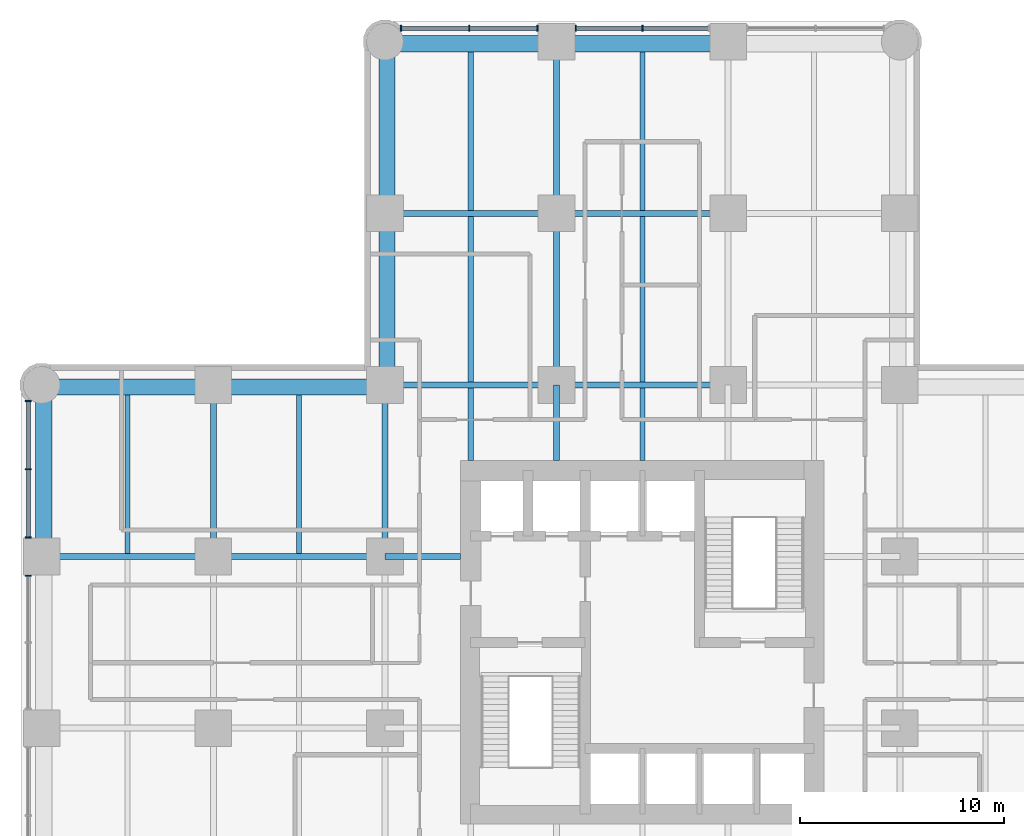
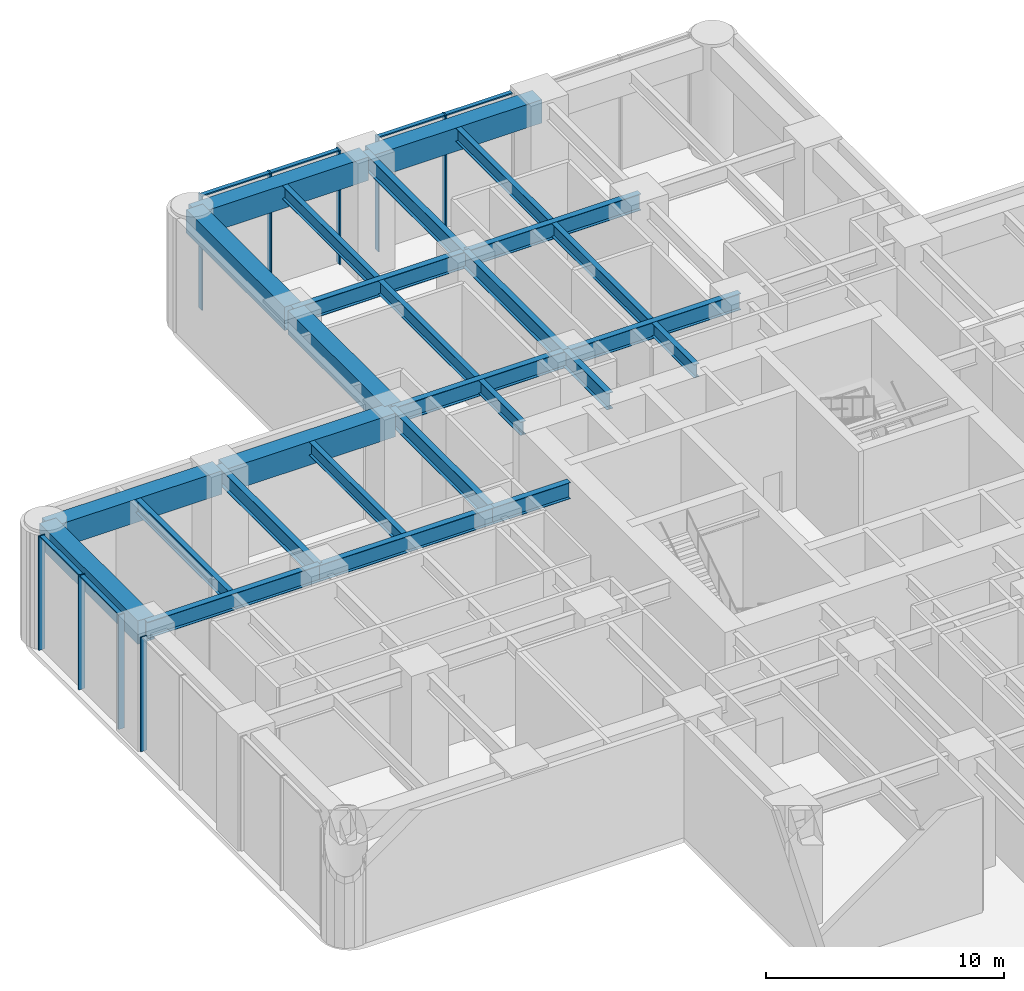
# One storey, part 4 of 11: 27 beams, 15 members, 2 elements without a shape of their own.
"""IFC4 building model written with IfcOpenShell, lengths in metres."""

from ifc_helpers import new_model, si_unit, direction, frame, origin, origin_2d, place, context, subcontext, project, spatial, rectangle, i_section, extrude, material, material_profile, profile_set, type_object, element, aggregate, save


model = new_model("IFC4")

# Units and contexts
model_context = context("Model", 3, precision=1e-05, world=origin(), true_north=direction((0.0, 1.0)))
body_context = subcontext(model_context, "Body", "Model", "MODEL_VIEW")
ifc_project = project(units=[si_unit("LENGTHUNIT", "METRE"), si_unit("AREAUNIT", "SQUARE_METRE"), si_unit("VOLUMEUNIT", "CUBIC_METRE"), si_unit("PLANEANGLEUNIT", "RADIAN"), si_unit("MASSUNIT", "GRAM", prefix="KILO")], contexts=[model_context])

# Site, building, storey
site_placement = place(None, origin())
site = spatial("IfcSite", under=ifc_project, at=site_placement, CompositionType="ELEMENT")
building_placement = place(site_placement, origin())
building = spatial("IfcBuilding", under=site, at=building_placement, Name="Torre Alcanfor", CompositionType="ELEMENT")
storey_placement = place(building_placement, frame((0.0, 0.0, 28.5)))
storey = spatial("IfcBuildingStorey", under=building, at=storey_placement, Name="L06", CompositionType="ELEMENT", Elevation=28.5)

# Curtain wall, members
ifc_material_1 = material(Name="Aluminium and glass", Category="aluminium")
curtain_wall_type = type_object("IfcCurtainWallType", Name="CW-D plant floor louvre screen", PredefinedType="NOTDEFINED", material=ifc_material_1)
curtain_wall_1_placement = place(storey_placement, origin())
curtain_wall_1 = element("IfcCurtainWall", 1, at=curtain_wall_1_placement, inside=storey, type_object=curtain_wall_type, Name="Curtain wall CW-D L06 2", PredefinedType="NOTDEFINED")
ifc_material_2 = material(Name="Extruded aluminium", Category="aluminium")
ifc_material_profile_1 = material_profile(ifc_material_2, rectangle(XDim=0.300048828125, YDim=0.06494140625, at=origin_2d()), Name="CW-D mullion 65x300")
ifc_profile_set_1 = profile_set([ifc_material_profile_1], Name="Extruded aluminium")
member_type_1 = type_object("IfcMemberType", Name="CW-D mullion 65x300", PredefinedType="MULLION", material=ifc_profile_set_1)
member_1_placement = place(storey_placement, frame((-0.64990234375, 41.213134765625, 0.0), z_axis=(0.0, 0.0, 1.0), x_axis=(1.0, 0.0, 0.0)))
member_1 = element("IfcMember", 2, at=member_1_placement, type_object=member_type_1, Name="CW-D mullion 1.1", PredefinedType="MULLION", context=body_context, shape_type="SweptSolid", body=[
    extrude(rectangle(XDim=0.300048828125, YDim=0.06494140625, at=origin_2d()), origin(), (0.0, 0.0, 1.0), 5.85009765625),
])
member_2_placement = place(storey_placement, frame((-0.64990234375, 37.875244140625, 0.0), z_axis=(0.0, 0.0, 1.0), x_axis=(1.0, 0.0, 0.0)))
member_2 = element("IfcMember", 3, at=member_2_placement, type_object=member_type_1, Name="CW-D mullion 1.2", PredefinedType="MULLION", context=body_context, shape_type="SweptSolid", body=[
    extrude(rectangle(XDim=0.300048828125, YDim=0.06494140625, at=origin_2d()), origin(), (0.0, 0.0, 1.0), 5.85009765625),
])
member_3_placement = place(storey_placement, frame((-0.64990234375, 34.53759765625, 0.0), z_axis=(0.0, 0.0, 1.0), x_axis=(1.0, 0.0, 0.0)))
member_3 = element("IfcMember", 4, at=member_3_placement, type_object=member_type_1, Name="CW-D mullion 1.3", PredefinedType="MULLION", context=body_context, shape_type="SweptSolid", body=[
    extrude(rectangle(XDim=0.300048828125, YDim=0.06494140625, at=origin_2d()), origin(), (0.0, 0.0, 1.0), 5.85009765625),
])
member_4_placement = place(storey_placement, frame((-0.64990234375, 32.66259765625, 0.0), z_axis=(0.0, 0.0, 1.0), x_axis=(1.0, 0.0, 0.0)))
member_4 = element("IfcMember", 5, at=member_4_placement, type_object=member_type_1, Name="CW-D mullion 2.1", PredefinedType="MULLION", context=body_context, shape_type="SweptSolid", body=[
    extrude(rectangle(XDim=0.300048828125, YDim=0.06494140625, at=origin_2d()), origin(), (0.0, 0.0, 1.0), 5.85009765625),
])

curtain_wall_2_placement = place(storey_placement, origin())
curtain_wall_2 = element("IfcCurtainWall", 6, at=curtain_wall_2_placement, inside=storey, type_object=curtain_wall_type, Name="Curtain wall CW-D L06 11", PredefinedType="NOTDEFINED")
member_5_placement = place(storey_placement, frame((29.39990234375, 59.449951171875, 0.0), z_axis=(0.0, 0.0, 1.0), x_axis=(0.0, -1.0, 0.0)))
member_5 = element("IfcMember", 7, at=member_5_placement, type_object=member_type_1, Name="CW-D mullion 2.2", PredefinedType="MULLION", context=body_context, shape_type="SweptSolid", body=[
    extrude(rectangle(XDim=0.300048828125, YDim=0.06494140625, at=origin_2d()), origin(), (0.0, 0.0, 1.0), 5.85009765625),
])
member_6_placement = place(storey_placement, frame((26.137451171875, 59.449951171875, 0.0), z_axis=(0.0, 0.0, 1.0), x_axis=(0.0, -1.0, 0.0)))
member_6 = element("IfcMember", 8, at=member_6_placement, type_object=member_type_1, Name="CW-D mullion 2.3", PredefinedType="MULLION", context=body_context, shape_type="SweptSolid", body=[
    extrude(rectangle(XDim=0.300048828125, YDim=0.06494140625, at=origin_2d()), origin(), (0.0, 0.0, 1.0), 5.85009765625),
])
member_7_placement = place(storey_placement, frame((24.262451171875, 59.449951171875, 0.0), z_axis=(0.0, 0.0, 1.0), x_axis=(0.0, -1.0, 0.0)))
member_7 = element("IfcMember", 9, at=member_7_placement, type_object=member_type_1, Name="CW-D mullion 3.1", PredefinedType="MULLION", context=body_context, shape_type="SweptSolid", body=[
    extrude(rectangle(XDim=0.300048828125, YDim=0.06494140625, at=origin_2d()), origin(), (0.0, 0.0, 1.0), 5.85009765625),
])
member_8_placement = place(storey_placement, frame((20.924560546875, 59.449951171875, 0.0), z_axis=(0.0, 0.0, 1.0), x_axis=(0.0, -1.0, 0.0)))
member_8 = element("IfcMember", 10, at=member_8_placement, type_object=member_type_1, Name="CW-D mullion 3.2", PredefinedType="MULLION", context=body_context, shape_type="SweptSolid", body=[
    extrude(rectangle(XDim=0.300048828125, YDim=0.06494140625, at=origin_2d()), origin(), (0.0, 0.0, 1.0), 5.85009765625),
])
member_9_placement = place(storey_placement, frame((17.5869140625, 59.449951171875, 0.0), z_axis=(0.0, 0.0, 1.0), x_axis=(0.0, -1.0, 0.0)))
member_9 = element("IfcMember", 11, at=member_9_placement, type_object=member_type_1, Name="CW-D mullion 3.3", PredefinedType="MULLION", context=body_context, shape_type="SweptSolid", body=[
    extrude(rectangle(XDim=0.300048828125, YDim=0.06494140625, at=origin_2d()), origin(), (0.0, 0.0, 1.0), 5.85009765625),
])

# Member
ifc_material_3 = material(Name="Extruded aluminium", Category="aluminium")
ifc_material_profile_2 = material_profile(ifc_material_3, rectangle(XDim=0.199951171875, YDim=0.06494140625, at=origin_2d()), Name="CW-D transom 200x65")
ifc_profile_set_2 = profile_set([ifc_material_profile_2], Name="Extruded aluminium")
member_type_2 = type_object("IfcMemberType", Name="CW-D transom 65x200", PredefinedType="USERDEFINED", material=ifc_profile_set_2)
member_10_placement = place(storey_placement, frame((-0.64990234375, 41.1806640625, 5.8173828125), z_axis=(0.0, -1.0, 0.0), x_axis=(1.0, 0.0, 0.0)))
member_10 = element("IfcMember", 12, at=member_10_placement, type_object=member_type_2, Name="CW-D transom 1.1.2", ObjectType="TRANSOM", PredefinedType="USERDEFINED", context=body_context, shape_type="SweptSolid", body=[
    extrude(rectangle(XDim=0.199951171875, YDim=0.06494140625, at=origin_2d()), origin(), (0.0, 0.0, 1.0), 3.272705078125),
])

member_11_placement = place(storey_placement, frame((-0.64990234375, 37.8427734375, 5.8173828125), z_axis=(0.0, -1.0, 0.0), x_axis=(1.0, 0.0, 0.0)))
member_11 = element("IfcMember", 13, at=member_11_placement, type_object=member_type_2, Name="CW-D transom 1.2.2", ObjectType="TRANSOM", PredefinedType="USERDEFINED", context=body_context, shape_type="SweptSolid", body=[
    extrude(rectangle(XDim=0.199951171875, YDim=0.06494140625, at=origin_2d()), origin(), (0.0, 0.0, 1.0), 3.272705078125),
])

aggregate(curtain_wall_1, [member_1, member_2, member_3, member_10, member_11, member_4])

member_12_placement = place(storey_placement, frame((32.6298828125, 59.449951171875, 5.8173828125), z_axis=(-1.0, 0.0, 0.0), x_axis=(0.0, -1.0, 0.0)))
member_12 = element("IfcMember", 14, at=member_12_placement, type_object=member_type_2, Name="CW-D transom 2.1.2", ObjectType="TRANSOM", PredefinedType="USERDEFINED", context=body_context, shape_type="SweptSolid", body=[
    extrude(rectangle(XDim=0.199951171875, YDim=0.06494140625, at=origin_2d()), origin(), (0.0, 0.0, 1.0), 3.197265625),
])

member_13_placement = place(storey_placement, frame((29.367431640625, 59.449951171875, 5.8173828125), z_axis=(-1.0, 0.0, 0.0), x_axis=(0.0, -1.0, 0.0)))
member_13 = element("IfcMember", 15, at=member_13_placement, type_object=member_type_2, Name="CW-D transom 2.2.2", ObjectType="TRANSOM", PredefinedType="USERDEFINED", context=body_context, shape_type="SweptSolid", body=[
    extrude(rectangle(XDim=0.199951171875, YDim=0.06494140625, at=origin_2d()), origin(), (0.0, 0.0, 1.0), 3.197509765625),
])

member_14_placement = place(storey_placement, frame((24.22998046875, 59.449951171875, 5.8173828125), z_axis=(-1.0, 0.0, 0.0), x_axis=(0.0, -1.0, 0.0)))
member_14 = element("IfcMember", 16, at=member_14_placement, type_object=member_type_2, Name="CW-D transom 3.1.2", ObjectType="TRANSOM", PredefinedType="USERDEFINED", context=body_context, shape_type="SweptSolid", body=[
    extrude(rectangle(XDim=0.199951171875, YDim=0.06494140625, at=origin_2d()), origin(), (0.0, 0.0, 1.0), 3.27294921875),
])

member_15_placement = place(storey_placement, frame((20.89208984375, 59.449951171875, 5.8173828125), z_axis=(-1.0, 0.0, 0.0), x_axis=(0.0, -1.0, 0.0)))
member_15 = element("IfcMember", 17, at=member_15_placement, type_object=member_type_2, Name="CW-D transom 3.2.2", ObjectType="TRANSOM", PredefinedType="USERDEFINED", context=body_context, shape_type="SweptSolid", body=[
    extrude(rectangle(XDim=0.199951171875, YDim=0.06494140625, at=origin_2d()), origin(), (0.0, 0.0, 1.0), 3.272705078125),
])

aggregate(curtain_wall_2, [member_5, member_6, member_12, member_13, member_7, member_8, member_9, member_14, member_15])

# Beams
ifc_material_4 = material(Name="Steel ASTM A992 Grade 50", Category="steel")
ifc_material_profile_3 = material_profile(ifc_material_4, i_section(OverallWidth=0.2919921875, OverallDepth=0.8408203125, WebThickness=0.0146484375, FlangeThickness=0.021728515625, at=origin_2d()), Name="W33x130")
ifc_profile_set_3 = profile_set([ifc_material_profile_3], Name="Steel ASTM A992 Grade 50")
beam_type_1 = type_object("IfcBeamType", Name="Girder W33x130", PredefinedType="BEAM", material=ifc_profile_set_3)
beam_1_placement = place(storey_placement, frame((0.0, 33.60009765625, 5.4296875), z_axis=(1.0, 0.0, 0.0), x_axis=(0.0, 1.0, 0.0)))
element("IfcBeam", 18, at=beam_1_placement, inside=storey, type_object=beam_type_1, Name="Beam 1G-2G under L07", PredefinedType="BEAM", context=body_context, shape_type="SweptSolid", body=[
    extrude(i_section(OverallWidth=0.2919921875, OverallDepth=0.8408203125, WebThickness=0.0146484375, FlangeThickness=0.021728515625, at=origin_2d()), origin(), (0.0, 0.0, 1.0), 8.39990234375),
])
beam_2_placement = place(storey_placement, frame((8.39990234375, 33.60009765625, 5.4296875), z_axis=(1.0, 0.0, 0.0), x_axis=(0.0, 1.0, 0.0)))
element("IfcBeam", 19, at=beam_2_placement, inside=storey, type_object=beam_type_1, Name="Beam 2G-3G under L07", PredefinedType="BEAM", context=body_context, shape_type="SweptSolid", body=[
    extrude(i_section(OverallWidth=0.2919921875, OverallDepth=0.8408203125, WebThickness=0.0146484375, FlangeThickness=0.021728515625, at=origin_2d()), origin(), (0.0, 0.0, 1.0), 8.400146484375),
])
beam_3_placement = place(storey_placement, frame((16.800048828125, 42.0, 5.4296875), z_axis=(1.0, 0.0, 0.0), x_axis=(0.0, 1.0, 0.0)))
element("IfcBeam", 20, at=beam_3_placement, inside=storey, type_object=beam_type_1, Name="Beam 3H-4H under L07", PredefinedType="BEAM", context=body_context, shape_type="SweptSolid", body=[
    extrude(i_section(OverallWidth=0.2919921875, OverallDepth=0.8408203125, WebThickness=0.0146484375, FlangeThickness=0.021728515625, at=origin_2d()), origin(), (0.0, 0.0, 1.0), 8.39990234375),
])
beam_4_placement = place(storey_placement, frame((25.199951171875, 42.0, 5.4296875), z_axis=(1.0, 0.0, 0.0), x_axis=(0.0, 1.0, 0.0)))
element("IfcBeam", 21, at=beam_4_placement, inside=storey, type_object=beam_type_1, Name="Beam 4H-5H under L07", PredefinedType="BEAM", context=body_context, shape_type="SweptSolid", body=[
    extrude(i_section(OverallWidth=0.2919921875, OverallDepth=0.8408203125, WebThickness=0.0146484375, FlangeThickness=0.021728515625, at=origin_2d()), origin(), (0.0, 0.0, 1.0), 8.400146484375),
])
beam_5_placement = place(storey_placement, frame((16.800048828125, 50.39990234375, 5.4296875), z_axis=(1.0, 0.0, 0.0), x_axis=(0.0, 1.0, 0.0)))
element("IfcBeam", 22, at=beam_5_placement, inside=storey, type_object=beam_type_1, Name="Beam 3J-4J under L07", PredefinedType="BEAM", context=body_context, shape_type="SweptSolid", body=[
    extrude(i_section(OverallWidth=0.2919921875, OverallDepth=0.8408203125, WebThickness=0.0146484375, FlangeThickness=0.021728515625, at=origin_2d()), origin(), (0.0, 0.0, 1.0), 8.39990234375),
])
beam_6_placement = place(storey_placement, frame((25.199951171875, 50.39990234375, 5.4296875), z_axis=(1.0, 0.0, 0.0), x_axis=(0.0, 1.0, 0.0)))
element("IfcBeam", 23, at=beam_6_placement, inside=storey, type_object=beam_type_1, Name="Beam 4J-5J under L07", PredefinedType="BEAM", context=body_context, shape_type="SweptSolid", body=[
    extrude(i_section(OverallWidth=0.2919921875, OverallDepth=0.8408203125, WebThickness=0.0146484375, FlangeThickness=0.021728515625, at=origin_2d()), origin(), (0.0, 0.0, 1.0), 8.400146484375),
])
for number, where, z_axis, x_axis, name in (
    (24, (8.39990234375, 33.60009765625, 5.4296875), (0.0, 1.0, 0.0), (-1.0, 0.0, 0.0), "Beam 2G-2H under L07"),
    (25, (16.800048828125, 33.60009765625, 5.4296875), (0.0, 1.0, 0.0), (-1.0, 0.0, 0.0), "Beam 3G-3H under L07"),
    (26, (25.199951171875, 42.0, 5.4296875), (0.0, 1.0, 0.0), (-1.0, 0.0, 0.0), "Beam 4H-4J under L07"),
):
    element("IfcBeam", number, at=place(storey_placement, frame(where, z_axis=z_axis, x_axis=x_axis)), inside=storey, type_object=beam_type_1, Name=name, PredefinedType="BEAM", context=body_context, shape_type="SweptSolid", body=[
        extrude(i_section(OverallWidth=0.2919921875, OverallDepth=0.8408203125, WebThickness=0.0146484375, FlangeThickness=0.021728515625, at=origin_2d()), origin(), (0.0, 0.0, 1.0), 8.39990234375),
    ])
beam_7_placement = place(storey_placement, frame((25.199951171875, 50.39990234375, 5.4296875), z_axis=(0.0, 1.0, 0.0), x_axis=(-1.0, 0.0, 0.0)))
element("IfcBeam", 27, at=beam_7_placement, inside=storey, type_object=beam_type_1, Name="Beam 4J-4K under L07", PredefinedType="BEAM", context=body_context, shape_type="SweptSolid", body=[
    extrude(i_section(OverallWidth=0.2919921875, OverallDepth=0.8408203125, WebThickness=0.0146484375, FlangeThickness=0.021728515625, at=origin_2d()), origin(), (0.0, 0.0, 1.0), 8.400146484375),
])
ifc_material_5 = material(Name="Steel ASTM A992 Grade 50", Category="steel")
ifc_material_profile_4 = material_profile(ifc_material_5, i_section(OverallWidth=0.2919921875, OverallDepth=0.8408203125, WebThickness=0.0146484375, FlangeThickness=0.021728515625, at=origin_2d()), Name="W33x130")
ifc_profile_set_4 = profile_set([ifc_material_profile_4], Name="Steel ASTM A992 Grade 50")
beam_type_2 = type_object("IfcBeamType", Name="Girder, part bay W33x130", PredefinedType="BEAM", material=ifc_profile_set_4)
for number, where, z_axis, x_axis, name in (
    (28, (25.199951171875, 42.0, 5.4296875), (0.0, -1.0, 0.0), (1.0, 0.0, 0.0), "Beam 4H-438_3 under L07"),
    (29, (16.800048828125, 33.60009765625, 5.4296875), (1.0, 0.0, 0.0), (0.0, 1.0, 0.0), "Beam 3G-20_5G under L07"),
):
    element("IfcBeam", number, at=place(storey_placement, frame(where, z_axis=z_axis, x_axis=x_axis)), inside=storey, type_object=beam_type_2, Name=name, PredefinedType="BEAM", context=body_context, shape_type="SweptSolid", body=[
        extrude(i_section(OverallWidth=0.2919921875, OverallDepth=0.8408203125, WebThickness=0.0146484375, FlangeThickness=0.021728515625, at=origin_2d()), origin(), (0.0, 0.0, 1.0), 3.699951171875),
    ])
ifc_material_6 = material(Name="Concrete f'c 70 MPa", Category="concrete")
ifc_material_profile_5 = material_profile(ifc_material_6, rectangle(XDim=0.800048828125, YDim=1.199951171875, at=origin_2d()), Name="800x1200")
ifc_profile_set_5 = profile_set([ifc_material_profile_5], Name="Concrete f'c 70 MPa")
beam_type_3 = type_object("IfcBeamType", Name="RC perimeter beam 800x1200", PredefinedType="BEAM", material=ifc_profile_set_5)
beam_8_placement = place(storey_placement, frame((0.0, 41.89990234375, 5.25), z_axis=(1.0, 0.0, 0.0), x_axis=(0.0, 1.0, 0.0)))
element("IfcBeam", 30, at=beam_8_placement, inside=storey, type_object=beam_type_3, Name="Beam 1H-2H under L07", PredefinedType="BEAM", context=body_context, shape_type="SweptSolid", body=[
    extrude(rectangle(XDim=0.800048828125, YDim=1.199951171875, at=origin_2d()), origin(), (0.0, 0.0, 1.0), 8.25390625),
])
beam_9_placement = place(storey_placement, frame((8.5458984375, 41.89990234375, 5.25), z_axis=(1.0, 0.0, 0.0), x_axis=(0.0, 1.0, 0.0)))
element("IfcBeam", 31, at=beam_9_placement, inside=storey, type_object=beam_type_3, Name="Beam 2H-3H under L07", PredefinedType="BEAM", context=body_context, shape_type="SweptSolid", body=[
    extrude(rectangle(XDim=0.800048828125, YDim=1.199951171875, at=origin_2d()), origin(), (0.0, 0.0, 1.0), 8.108154296875),
])
beam_10_placement = place(storey_placement, frame((16.800048828125, 58.699951171875, 5.25), z_axis=(1.0, 0.0, 0.0), x_axis=(0.0, 1.0, 0.0)))
element("IfcBeam", 32, at=beam_10_placement, inside=storey, type_object=beam_type_3, Name="Beam 3K-4K under L07", PredefinedType="BEAM", context=body_context, shape_type="SweptSolid", body=[
    extrude(rectangle(XDim=0.800048828125, YDim=1.199951171875, at=origin_2d()), origin(), (0.0, 0.0, 1.0), 8.25390625),
])
beam_11_placement = place(storey_placement, frame((25.345947265625, 58.699951171875, 5.25), z_axis=(1.0, 0.0, 0.0), x_axis=(0.0, 1.0, 0.0)))
element("IfcBeam", 33, at=beam_11_placement, inside=storey, type_object=beam_type_3, Name="Beam 4K-5K under L07", PredefinedType="BEAM", context=body_context, shape_type="SweptSolid", body=[
    extrude(rectangle(XDim=0.800048828125, YDim=1.199951171875, at=origin_2d()), origin(), (0.0, 0.0, 1.0), 8.108154296875),
])
beam_12_placement = place(storey_placement, frame((0.10009765625, 33.74609375, 5.25), z_axis=(0.0, 1.0, 0.0), x_axis=(-1.0, 0.0, 0.0)))
element("IfcBeam", 34, at=beam_12_placement, inside=storey, type_object=beam_type_3, Name="Beam 1G-1H under L07", PredefinedType="BEAM", context=body_context, shape_type="SweptSolid", body=[
    extrude(rectangle(XDim=0.800048828125, YDim=1.199951171875, at=origin_2d()), origin(), (0.0, 0.0, 1.0), 8.25390625),
])
beam_13_placement = place(storey_placement, frame((16.89990234375, 42.14599609375, 5.25), z_axis=(0.0, 1.0, 0.0), x_axis=(-1.0, 0.0, 0.0)))
element("IfcBeam", 35, at=beam_13_placement, inside=storey, type_object=beam_type_3, Name="Beam 3H-3J under L07", PredefinedType="BEAM", context=body_context, shape_type="SweptSolid", body=[
    extrude(rectangle(XDim=0.800048828125, YDim=1.199951171875, at=origin_2d()), origin(), (0.0, 0.0, 1.0), 8.10791015625),
])
beam_14_placement = place(storey_placement, frame((16.89990234375, 50.5458984375, 5.25), z_axis=(0.0, 1.0, 0.0), x_axis=(-1.0, 0.0, 0.0)))
element("IfcBeam", 36, at=beam_14_placement, inside=storey, type_object=beam_type_3, Name="Beam 3J-3K under L07", PredefinedType="BEAM", context=body_context, shape_type="SweptSolid", body=[
    extrude(rectangle(XDim=0.800048828125, YDim=1.199951171875, at=origin_2d()), origin(), (0.0, 0.0, 1.0), 8.254150390625),
])
ifc_material_7 = material(Name="Steel ASTM A992 Grade 50", Category="steel")
ifc_material_profile_6 = material_profile(ifc_material_7, i_section(OverallWidth=0.25390625, OverallDepth=0.683349609375, WebThickness=0.012451171875, FlangeThickness=0.01904296875, at=origin_2d()), Name="W27x94")
ifc_profile_set_6 = profile_set([ifc_material_profile_6], Name="Steel ASTM A992 Grade 50")
beam_type_4 = type_object("IfcBeamType", Name="Secondary beam W27x94", PredefinedType="BEAM", material=ifc_profile_set_6)
for number, where, z_axis, x_axis, name in (
    (37, (4.199951171875, 33.74609375, 5.50830078125), (0.0, 1.0, 0.0), (-1.0, 0.0, 0.0), "Beam 4_2G-4_2H under L07"),
    (38, (12.60009765625, 33.74609375, 5.50830078125), (0.0, 1.0, 0.0), (-1.0, 0.0, 0.0), "Beam 12_6G-12_6H under L07"),
):
    element("IfcBeam", number, at=place(storey_placement, frame(where, z_axis=z_axis, x_axis=x_axis)), inside=storey, type_object=beam_type_4, Name=name, PredefinedType="BEAM", context=body_context, shape_type="SweptSolid", body=[
        extrude(i_section(OverallWidth=0.25390625, OverallDepth=0.683349609375, WebThickness=0.012451171875, FlangeThickness=0.01904296875, at=origin_2d()), origin(), (0.0, 0.0, 1.0), 7.75390625),
    ])
beam_15_placement = place(storey_placement, frame((21.0, 42.14599609375, 5.50830078125), z_axis=(0.0, 1.0, 0.0), x_axis=(-1.0, 0.0, 0.0)))
element("IfcBeam", 39, at=beam_15_placement, inside=storey, type_object=beam_type_4, Name="Beam 21H-21J under L07", PredefinedType="BEAM", context=body_context, shape_type="SweptSolid", body=[
    extrude(i_section(OverallWidth=0.25390625, OverallDepth=0.683349609375, WebThickness=0.012451171875, FlangeThickness=0.01904296875, at=origin_2d()), origin(), (0.0, 0.0, 1.0), 8.10791015625),
])
beam_16_placement = place(storey_placement, frame((21.0, 50.5458984375, 5.50830078125), z_axis=(0.0, 1.0, 0.0), x_axis=(-1.0, 0.0, 0.0)))
element("IfcBeam", 40, at=beam_16_placement, inside=storey, type_object=beam_type_4, Name="Beam 21J-21K under L07", PredefinedType="BEAM", context=body_context, shape_type="SweptSolid", body=[
    extrude(i_section(OverallWidth=0.25390625, OverallDepth=0.683349609375, WebThickness=0.012451171875, FlangeThickness=0.01904296875, at=origin_2d()), origin(), (0.0, 0.0, 1.0), 7.754150390625),
])
beam_17_placement = place(storey_placement, frame((29.39990234375, 42.14599609375, 5.50830078125), z_axis=(0.0, 1.0, 0.0), x_axis=(-1.0, 0.0, 0.0)))
element("IfcBeam", 41, at=beam_17_placement, inside=storey, type_object=beam_type_4, Name="Beam 29_4H-29_4J under L07", PredefinedType="BEAM", context=body_context, shape_type="SweptSolid", body=[
    extrude(i_section(OverallWidth=0.25390625, OverallDepth=0.683349609375, WebThickness=0.012451171875, FlangeThickness=0.01904296875, at=origin_2d()), origin(), (0.0, 0.0, 1.0), 8.10791015625),
])
beam_18_placement = place(storey_placement, frame((29.39990234375, 50.5458984375, 5.50830078125), z_axis=(0.0, 1.0, 0.0), x_axis=(-1.0, 0.0, 0.0)))
element("IfcBeam", 42, at=beam_18_placement, inside=storey, type_object=beam_type_4, Name="Beam 29_4J-29_4K under L07", PredefinedType="BEAM", context=body_context, shape_type="SweptSolid", body=[
    extrude(i_section(OverallWidth=0.25390625, OverallDepth=0.683349609375, WebThickness=0.012451171875, FlangeThickness=0.01904296875, at=origin_2d()), origin(), (0.0, 0.0, 1.0), 7.754150390625),
])
ifc_material_8 = material(Name="Steel ASTM A992 Grade 50", Category="steel")
ifc_material_profile_7 = material_profile(ifc_material_8, i_section(OverallWidth=0.25390625, OverallDepth=0.683349609375, WebThickness=0.012451171875, FlangeThickness=0.01904296875, at=origin_2d()), Name="W27x94")
ifc_profile_set_7 = profile_set([ifc_material_profile_7], Name="Steel ASTM A992 Grade 50")
beam_type_5 = type_object("IfcBeamType", Name="Secondary beam, part bay W27x94", PredefinedType="BEAM", material=ifc_profile_set_7)
for number, where, z_axis, x_axis, name in (
    (43, (21.0, 38.300048828125, 5.50830078125), (0.0, 1.0, 0.0), (-1.0, 0.0, 0.0), "Beam 2138_3-21H under L07"),
    (44, (29.39990234375, 38.300048828125, 5.50830078125), (0.0, 1.0, 0.0), (-1.0, 0.0, 0.0), "Beam 29_438_3-29_4H under L07"),
):
    element("IfcBeam", number, at=place(storey_placement, frame(where, z_axis=z_axis, x_axis=x_axis)), inside=storey, type_object=beam_type_5, Name=name, PredefinedType="BEAM", context=body_context, shape_type="SweptSolid", body=[
        extrude(i_section(OverallWidth=0.25390625, OverallDepth=0.683349609375, WebThickness=0.012451171875, FlangeThickness=0.01904296875, at=origin_2d()), origin(), (0.0, 0.0, 1.0), 3.553955078125),
    ])

save(model, "model.ifc")
